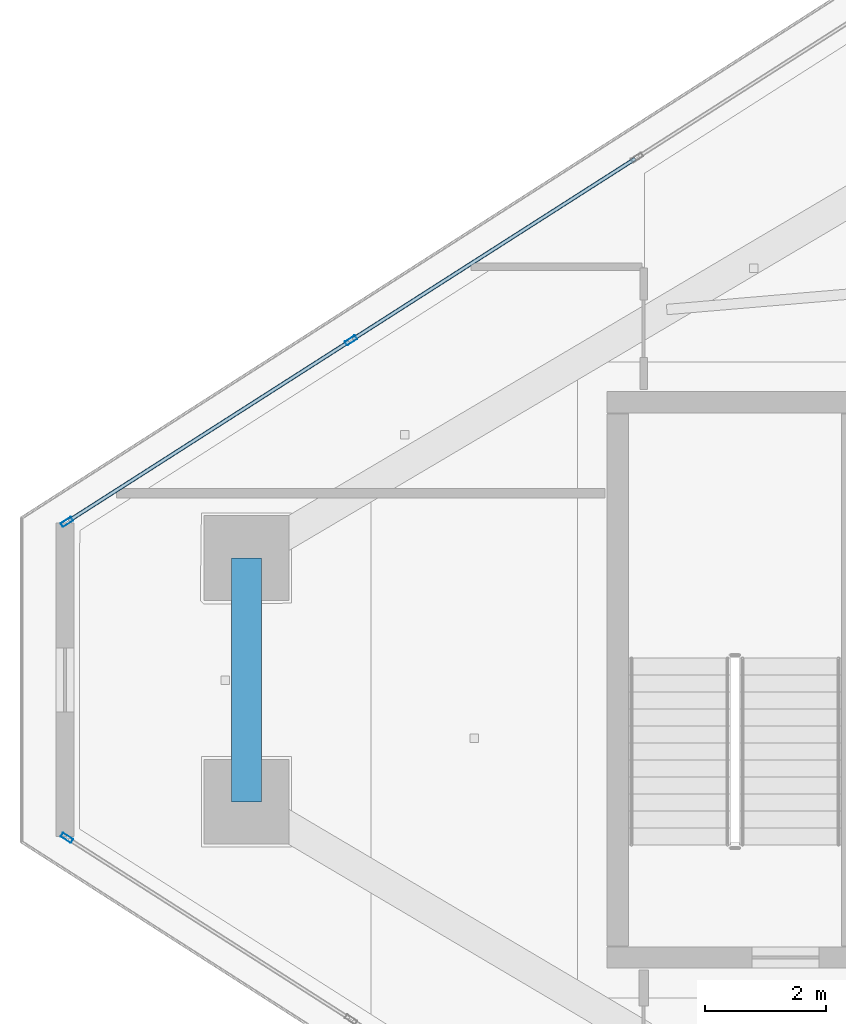
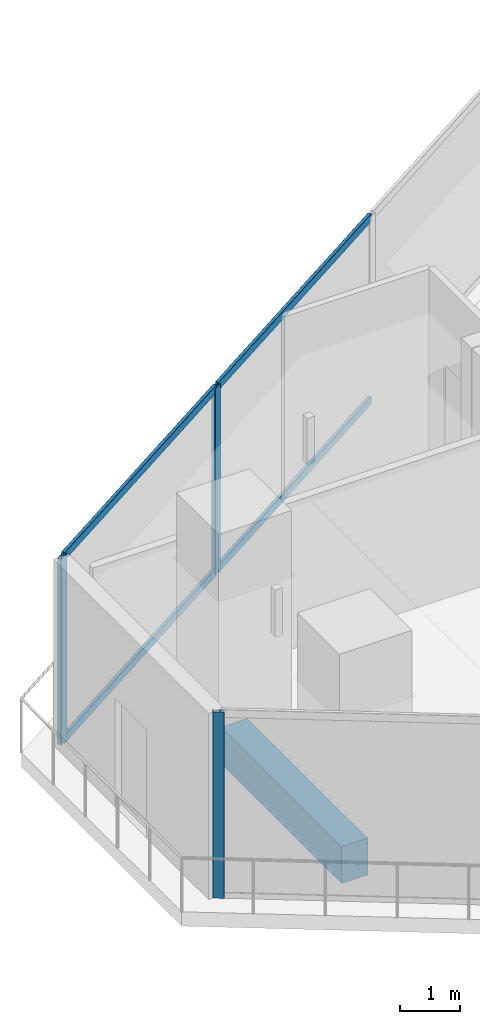
# One storey, part 8 of 26: 7 members, 1 beam, 2 elements without a shape of their own.
"""IFC4 building model written with IfcOpenShell, lengths in metres."""

from ifc_helpers import new_model, si_unit, direction, frame, origin, origin_2d, place, context, subcontext, project, spatial, rectangle, hollow_rectangle, extrude, material, layer, layer_set, material_profile, profile_set, type_object, element, aggregate, save


model = new_model("IFC4")

# Units and contexts
model_context = context("Model", 3, precision=1e-05, world=origin(), true_north=direction((0.0, 1.0)))
body_context = subcontext(model_context, "Body", "Model", "MODEL_VIEW")
ifc_project = project(units=[si_unit("LENGTHUNIT", "METRE"), si_unit("AREAUNIT", "SQUARE_METRE"), si_unit("VOLUMEUNIT", "CUBIC_METRE"), si_unit("PLANEANGLEUNIT", "RADIAN"), si_unit("MASSUNIT", "GRAM", prefix="KILO")], contexts=[model_context])

# Site, building, storey
site_placement = place(None, origin())
site = spatial("IfcSite", under=ifc_project, at=site_placement, CompositionType="ELEMENT")
building_placement = place(site_placement, origin())
building = spatial("IfcBuilding", under=site, at=building_placement, Name="Qorvath Tower", CompositionType="ELEMENT")
storey_placement = place(building_placement, frame((0.0, 0.0, 322.800048828125)))
storey = spatial("IfcBuildingStorey", under=building, at=storey_placement, Name="L75", CompositionType="ELEMENT", Elevation=322.800048828125)

# Beam
ifc_material_1 = material(Name="Concrete C45/55", Category="concrete")
ifc_material_profile_1 = material_profile(ifc_material_1, rectangle(XDim=0.5, YDim=0.75, at=origin_2d()), Name="RCB 750x500")
ifc_profile_set_1 = profile_set([ifc_material_profile_1], Name="Concrete C45/55")
beam_type = type_object("IfcBeamType", Name="BM-RCB3", PredefinedType="SPANDREL", material=ifc_profile_set_1)
beam_placement = place(storey_placement, frame((-44.402587890625, 2.007568359375, -0.6650390625), z_axis=(0.0, -1.0, 0.0), x_axis=(1.0, 0.0, 0.0)))
element("IfcBeam", 1, at=beam_placement, inside=storey, type_object=beam_type, Name="Perimeter Loggia Frame Beam MC1-MC2 L75", PredefinedType="SPANDREL", context=body_context, shape_type="SweptSolid", body=[
    extrude(rectangle(XDim=0.5, YDim=0.75, at=origin_2d()), origin(), (0.0, 0.0, 1.0), 4.01513671875),
])

# Curtain wall, member
ifc_material_2 = material(Name="Anodised aluminium and triple low-E glass", Category="aluminium")
ifc_layer = layer(ifc_material_2, 0.179931640625)
ifc_layer_set = layer_set([ifc_layer], Name="CW-SYS-4")
curtain_wall_type = type_object("IfcCurtainWallType", Name="CW-SYS-4", PredefinedType="NOTDEFINED", material=ifc_layer_set)
curtain_wall_1_placement = place(storey_placement, origin())
curtain_wall_1 = element("IfcCurtainWall", 2, at=curtain_wall_1_placement, inside=storey, type_object=curtain_wall_type, Name="Curtain Wall CW-4 CW-T-L75-2.1", PredefinedType="NOTDEFINED")
ifc_material_3 = material(Name="Anodised aluminium 6063-T6", Category="aluminium")
ifc_material_profile_2 = material_profile(ifc_material_3, hollow_rectangle(XDim=0.074951171875, YDim=0.199951171875, WallThickness=0.00390625, InnerFilletRadius=0.00390625, OuterFilletRadius=0.008056640625, at=origin_2d()), Name="CWM 200x75")
ifc_profile_set_2 = profile_set([ifc_material_profile_2], Name="Anodised aluminium 6063-T6")
member_type_1 = type_object("IfcMemberType", Name="CWM-200", PredefinedType="MULLION", material=ifc_profile_set_2)
member_1_placement = place(storey_placement, frame((-47.36181640625, -2.602294921875, 0.0), z_axis=(0.0, 0.0, 1.0), x_axis=(0.538535622768, 0.842602743296, 0.0)))
member_1 = element("IfcMember", 3, at=member_1_placement, type_object=member_type_1, Name="CW-4 mullion 1", PredefinedType="MULLION", context=body_context, shape_type="SweptSolid", body=[
    extrude(hollow_rectangle(XDim=0.074951171875, YDim=0.199951171875, WallThickness=0.00390625, InnerFilletRadius=0.00390625, OuterFilletRadius=0.008056640625, at=origin_2d()), origin(), (0.0, 0.0, 1.0), 3.780029296875),
])
aggregate(curtain_wall_1, [member_1])

# Curtain wall, members
curtain_wall_2_placement = place(storey_placement, origin())
curtain_wall_2 = element("IfcCurtainWall", 4, at=curtain_wall_2_placement, inside=storey, type_object=curtain_wall_type, Name="Curtain Wall CW-4 CW-T-L75-16.1", PredefinedType="NOTDEFINED")
member_2_placement = place(storey_placement, frame((-42.68017578125, 5.59423828125, 0.0), z_axis=(0.0, 0.0, 1.0), x_axis=(0.538535622768, -0.842602743296, 0.0)))
member_2 = element("IfcMember", 5, at=member_2_placement, type_object=member_type_1, Name="CW-4 mullion 6", PredefinedType="MULLION", context=body_context, shape_type="SweptSolid", body=[
    extrude(hollow_rectangle(XDim=0.074951171875, YDim=0.199951171875, WallThickness=0.00390625, InnerFilletRadius=0.00390625, OuterFilletRadius=0.008056640625, at=origin_2d()), origin(), (0.0, 0.0, 1.0), 3.780029296875),
])
member_3_placement = place(storey_placement, frame((-47.36181640625, 2.602294921875, 0.0), z_axis=(0.0, 0.0, 1.0), x_axis=(0.538535622768, -0.842602743296, 0.0)))
member_3 = element("IfcMember", 6, at=member_3_placement, type_object=member_type_1, Name="CW-4 mullion 7", PredefinedType="MULLION", context=body_context, shape_type="SweptSolid", body=[
    extrude(hollow_rectangle(XDim=0.074951171875, YDim=0.199951171875, WallThickness=0.00390625, InnerFilletRadius=0.00390625, OuterFilletRadius=0.008056640625, at=origin_2d()), origin(), (0.0, 0.0, 1.0), 3.780029296875),
])
ifc_material_4 = material(Name="Anodised aluminium 6063-T6", Category="aluminium")
ifc_material_profile_3 = material_profile(ifc_material_4, hollow_rectangle(XDim=0.06494140625, YDim=0.159912109375, WallThickness=0.00341796875, InnerFilletRadius=0.00341796875, OuterFilletRadius=0.007080078125, at=origin_2d()), Name="CWT 160x65")
ifc_profile_set_3 = profile_set([ifc_material_profile_3], Name="Anodised aluminium 6063-T6")
member_type_2 = type_object("IfcMemberType", Name="CWT-160", PredefinedType="USERDEFINED", material=ifc_profile_set_3)
member_4_placement = place(storey_placement, frame((-37.998779296875, 8.58642578125, 0.032470703125), z_axis=(-0.842601463346, -0.538537625397, 0.0), x_axis=(0.538537625397, -0.842601463346, 0.0)))
member_4 = element("IfcMember", 7, at=member_4_placement, type_object=member_type_2, Name="CW-4 transom 5.1", ObjectType="TRANSOM", PredefinedType="USERDEFINED", context=body_context, shape_type="SweptSolid", body=[
    extrude(hollow_rectangle(XDim=0.06494140625, YDim=0.159912109375, WallThickness=0.00341796875, InnerFilletRadius=0.00341796875, OuterFilletRadius=0.007080078125, at=origin_2d()), origin(), (0.0, 0.0, 1.0), 5.5185546875),
])
member_5_placement = place(storey_placement, frame((-37.998779296875, 8.58642578125, 3.74755859375), z_axis=(-0.842601463346, -0.538537625397, 0.0), x_axis=(0.538537625397, -0.842601463346, 0.0)))
member_5 = element("IfcMember", 8, at=member_5_placement, type_object=member_type_2, Name="CW-4 transom 5.2", ObjectType="TRANSOM", PredefinedType="USERDEFINED", context=body_context, shape_type="SweptSolid", body=[
    extrude(hollow_rectangle(XDim=0.06494140625, YDim=0.159912109375, WallThickness=0.00341796875, InnerFilletRadius=0.00341796875, OuterFilletRadius=0.007080078125, at=origin_2d()), origin(), (0.0, 0.0, 1.0), 5.5185546875),
])
member_6_placement = place(storey_placement, frame((-42.7119140625, 5.57421875, 0.032470703125), z_axis=(-0.842579475749, -0.538572025866, 0.0), x_axis=(0.538572025866, -0.842579475749, 0.0)))
member_6 = element("IfcMember", 9, at=member_6_placement, type_object=member_type_2, Name="CW-4 transom 6.1", ObjectType="TRANSOM", PredefinedType="USERDEFINED", context=body_context, shape_type="SweptSolid", body=[
    extrude(hollow_rectangle(XDim=0.06494140625, YDim=0.159912109375, WallThickness=0.00341796875, InnerFilletRadius=0.00341796875, OuterFilletRadius=0.007080078125, at=origin_2d()), origin(), (0.0, 0.0, 1.0), 5.48095703125),
])
member_7_placement = place(storey_placement, frame((-42.7119140625, 5.57421875, 3.74755859375), z_axis=(-0.842579475749, -0.538572025866, 0.0), x_axis=(0.538572025866, -0.842579475749, 0.0)))
member_7 = element("IfcMember", 10, at=member_7_placement, type_object=member_type_2, Name="CW-4 transom 6.2", ObjectType="TRANSOM", PredefinedType="USERDEFINED", context=body_context, shape_type="SweptSolid", body=[
    extrude(hollow_rectangle(XDim=0.06494140625, YDim=0.159912109375, WallThickness=0.00341796875, InnerFilletRadius=0.00341796875, OuterFilletRadius=0.007080078125, at=origin_2d()), origin(), (0.0, 0.0, 1.0), 5.48095703125),
])
aggregate(curtain_wall_2, [member_2, member_3, member_4, member_5, member_6, member_7])

save(model, "model.ifc")
